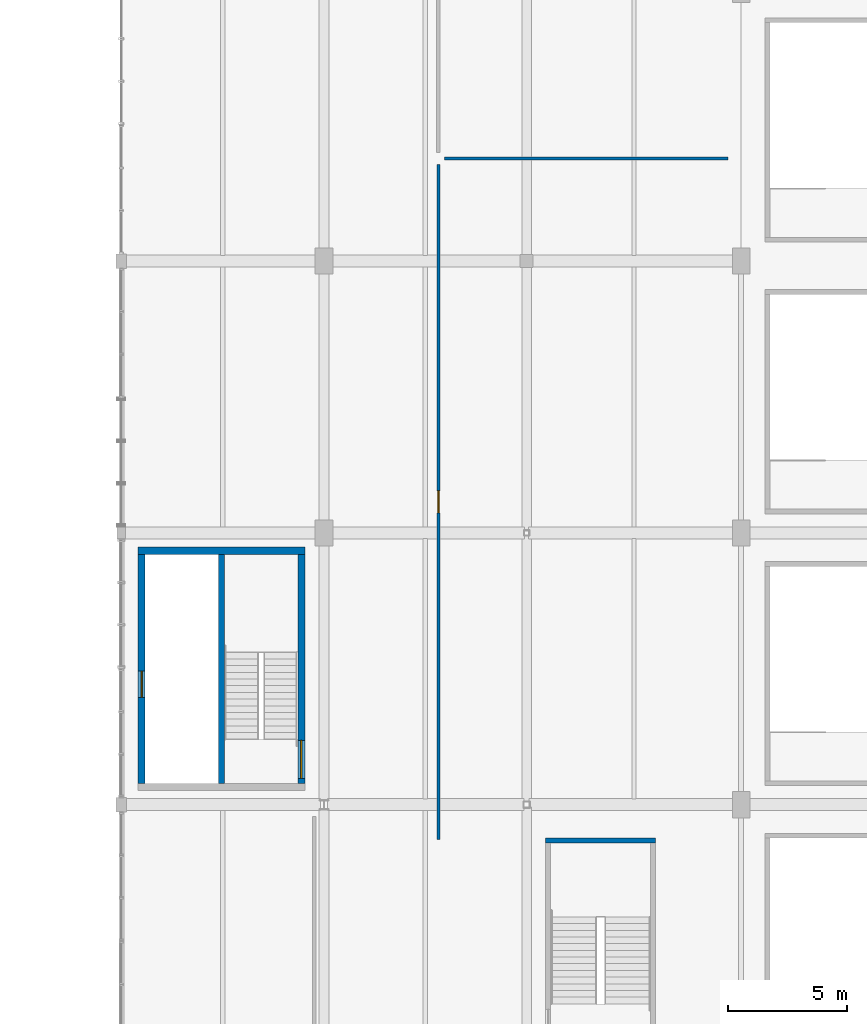
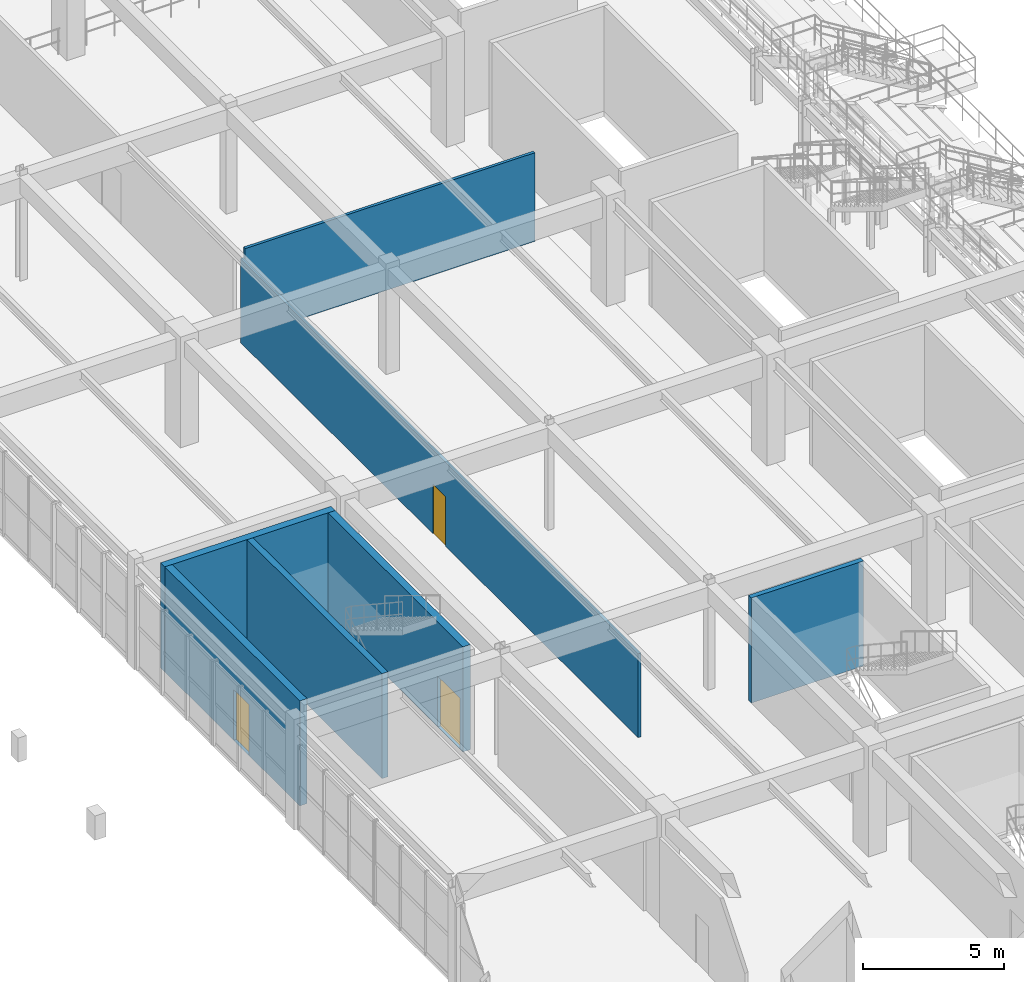
# One storey, part 83 of 106: 7 walls, 3 doors, 3 openings.
"""IFC4 building model written with IfcOpenShell, lengths in metres."""

from ifc_helpers import new_model, si_unit, direction, frame, frame_2d, origin, place, context, subcontext, project, spatial, rectangle, extrude, material, layer, layer_set, type_object, element, fill, save


model = new_model("IFC4")

# Units and contexts
model_context = context("Model", 3, precision=1e-05, world=origin(), true_north=direction((0.0, 1.0)))
body_context = subcontext(model_context, "Body", "Model", "MODEL_VIEW")
ifc_project = project(units=[si_unit("LENGTHUNIT", "METRE"), si_unit("AREAUNIT", "SQUARE_METRE"), si_unit("VOLUMEUNIT", "CUBIC_METRE"), si_unit("PLANEANGLEUNIT", "RADIAN"), si_unit("MASSUNIT", "GRAM", prefix="KILO"), si_unit("POWERUNIT", "WATT"), si_unit("THERMODYNAMICTEMPERATUREUNIT", "KELVIN")], contexts=[model_context])

# Site, building, storey
site_placement = place(None, origin())
site = spatial("IfcSite", under=ifc_project, at=site_placement, CompositionType="ELEMENT")
building_placement = place(site_placement, origin())
building = spatial("IfcBuilding", under=site, at=building_placement, Name="Kelmbourne Parkland Aquatics Centre", CompositionType="ELEMENT")
storey_placement = place(building_placement, frame((0.0, 0.0, 5.39990234375)))
storey = spatial("IfcBuildingStorey", under=building, at=storey_placement, Name="L01", CompositionType="ELEMENT", Elevation=5.39990234375)

# Walls
ifc_material_1 = material(Name="Concrete C40/50", Category="concrete")
ifc_layer_1 = layer(ifc_material_1, 0.25)
ifc_layer_set_1 = layer_set([ifc_layer_1], Name="Concrete C40/50")
wall_type_1 = type_object("IfcWallType", Name="W-CORE-250", PredefinedType="SHEAR", material=ifc_layer_set_1)
wall_1_placement = place(storey_placement, frame((106.199951171875, 35.89990234375, 0.0), z_axis=(0.0, 0.0, 1.0), x_axis=(0.0, 1.0, 0.0)))
element("IfcWall", 1, at=wall_1_placement, inside=storey, type_object=wall_type_1, Name="East Spine Club and Village Core divider wall (L01)", PredefinedType="SHEAR", context=body_context, shape_type="SweptSolid", body=[
    extrude(rectangle(XDim=9.60009765625, YDim=0.25, at=frame_2d((4.800048828125, 0.0))), origin(), (0.0, 0.0, 1.0), 4.56005859375),
])
ifc_layer_2 = layer(ifc_material_1, 0.300048828125)
ifc_layer_set_2 = layer_set([ifc_layer_2], Name="Concrete C40/50")
wall_type_2 = type_object("IfcWallType", Name="W-CORE-300", PredefinedType="SHEAR", material=ifc_layer_set_2)
wall_2_placement = place(storey_placement, frame((102.699951171875, 45.64990234375, 0.0), z_axis=(0.0, 0.0, 1.0), x_axis=(1.0, 0.0, 0.0)))
element("IfcWall", 2, at=wall_2_placement, inside=storey, type_object=wall_type_2, Name="East Spine Club and Village Core north wall (L01)", PredefinedType="SHEAR", context=body_context, shape_type="SweptSolid", body=[
    extrude(rectangle(XDim=7.0, YDim=0.300048828125, at=frame_2d((3.5, 0.0))), origin(), (0.0, 0.0, 1.0), 4.56005859375),
])

# Wall, opening, door
wall_3_placement = place(storey_placement, frame((102.85009765625, 35.89990234375, 0.0), z_axis=(0.0, 0.0, 1.0), x_axis=(0.0, 1.0, 0.0)))
wall_3 = element("IfcWall", 3, at=wall_3_placement, inside=storey, type_object=wall_type_2, Name="East Spine Club and Village Core west wall (L01)", PredefinedType="SHEAR", context=body_context, shape_type="SweptSolid", body=[
    extrude(rectangle(XDim=9.60009765625, YDim=0.300048828125, at=frame_2d((4.800048828125, 0.0))), origin(), (0.0, 0.0, 1.0), 4.56005859375),
])
opening_1_placement = place(wall_3_placement, frame((3.60009765625, 0.0, 0.0)))
opening_1 = element("IfcOpeningElement", 4, at=opening_1_placement, cuts=wall_3, Name="Opening LD01", PredefinedType="OPENING", context=body_context, shape_type="SweptSolid", body=[
    extrude(rectangle(XDim=1.10009765625, YDim=2.199951171875, at=frame_2d((0.550048828125, 1.10009765625))), frame((0.0, 0.162109375, 0.0), z_axis=(0.0, -1.0, 0.0), x_axis=(1.0, 0.0, 0.0)), (0.0, 0.0, 1.0), 0.323974609375),
])
ifc_material_2 = material(Name="Marine-grade stainless steel and fire-rated hardwood doorset", Category="steel")
ifc_layer_3 = layer(ifc_material_2, 0.050048828125)
ifc_layer_set_3 = layer_set([ifc_layer_3], Name="Marine-grade stainless steel and fire-rated hardwood doorset")
door_type_1 = type_object("IfcDoorType", Name="DR-LD-110", OperationType="NOTDEFINED", PredefinedType="DOOR", material=ifc_layer_set_3)
door_1_placement = place(opening_1_placement, origin())
door_1 = element("IfcDoor", 5, at=door_1_placement, inside=storey, type_object=door_type_1, Name="Lift landing sliding door LF05 (L01)", OperationType="SLIDING_TO_LEFT", OverallHeight=2.199951171875, OverallWidth=1.10009765625, PredefinedType="DOOR", context=body_context, shape_type="SweptSolid", body=[
    extrude(rectangle(XDim=1.10009765625, YDim=2.199951171875, at=frame_2d((0.550048828125, 1.10009765625))), frame((0.0, 0.02490234375, 0.0), z_axis=(0.0, -1.0, 0.0), x_axis=(1.0, 0.0, 0.0)), (0.0, 0.0, 1.0), 0.050048828125),
])
fill(opening_1, door_1)

wall_4_placement = place(storey_placement, frame((109.550048828125, 35.89990234375, 0.0), z_axis=(0.0, 0.0, 1.0), x_axis=(0.0, 1.0, 0.0)))
wall_4 = element("IfcWall", 6, at=wall_4_placement, inside=storey, type_object=wall_type_2, Name="East Spine Club and Village Core east wall (L01)", PredefinedType="SHEAR", context=body_context, shape_type="SweptSolid", body=[
    extrude(rectangle(XDim=9.60009765625, YDim=0.300048828125, at=frame_2d((4.800048828125, 0.0))), origin(), (0.0, 0.0, 1.0), 4.56005859375),
])
opening_2_placement = place(wall_4_placement, frame((0.199951171875, 0.0, 0.0)))
opening_2 = element("IfcOpeningElement", 7, at=opening_2_placement, cuts=wall_4, Name="Opening FD02", PredefinedType="OPENING", context=body_context, shape_type="SweptSolid", body=[
    extrude(rectangle(XDim=1.60009765625, YDim=2.199951171875, at=frame_2d((0.800048828125, 1.10009765625))), frame((0.0, 0.162109375, 0.0), z_axis=(0.0, -1.0, 0.0), x_axis=(1.0, 0.0, 0.0)), (0.0, 0.0, 1.0), 0.323974609375),
])
ifc_layer_4 = layer(ifc_material_2, 0.050048828125)
ifc_layer_set_4 = layer_set([ifc_layer_4], Name="Marine-grade stainless steel and fire-rated hardwood doorset")
door_type_2 = type_object("IfcDoorType", Name="DR-FD-160", OperationType="NOTDEFINED", PredefinedType="DOOR", material=ifc_layer_set_4)
door_2_placement = place(opening_2_placement, frame((1.60009765625, 0.0, 0.0), z_axis=(0.0, 0.0, 1.0), x_axis=(-1.0, 0.0, 0.0)))
door_2 = element("IfcDoor", 8, at=door_2_placement, inside=storey, type_object=door_type_2, Name="Fire stair door ST04 (L01)", OperationType="DOUBLE_DOOR_SINGLE_SWING", OverallHeight=2.199951171875, OverallWidth=1.60009765625, PredefinedType="DOOR", context=body_context, shape_type="SweptSolid", body=[
    extrude(rectangle(XDim=1.60009765625, YDim=2.199951171875, at=frame_2d((0.800048828125, 1.10009765625))), frame((0.0, 0.02490234375, 0.0), z_axis=(0.0, -1.0, 0.0), x_axis=(1.0, 0.0, 0.0)), (0.0, 0.0, 1.0), 0.050048828125),
])
fill(opening_2, door_2)

# Wall
ifc_material_3 = material(Name="Concrete blockwork C32/40", Category="masonry")
ifc_layer_5 = layer(ifc_material_3, 0.199951171875)
ifc_layer_set_5 = layer_set([ifc_layer_5], Name="Concrete blockwork C32/40")
wall_type_3 = type_object("IfcWallType", Name="W-FIRE-200", PredefinedType="SOLIDWALL", material=ifc_layer_set_5)
wall_5_placement = place(storey_placement, frame((119.800048828125, 33.5, 0.0), z_axis=(0.0, 0.0, 1.0), x_axis=(1.0, 0.0, 0.0)))
element("IfcWall", 9, at=wall_5_placement, inside=storey, type_object=wall_type_3, Name="East Club Terrace Exit Stair north enclosure (L01)", PredefinedType="SOLIDWALL", context=body_context, shape_type="SweptSolid", body=[
    extrude(rectangle(XDim=4.599853515625, YDim=0.199951171875, at=frame_2d((2.2998046875, 0.0))), origin(), (0.0, 0.0, 1.0), 4.56005859375),
])

# Wall, opening, door
ifc_material_4 = material(Name="Moisture-resistant acoustic stud partition", Category="gypsum")
ifc_layer_6 = layer(ifc_material_4, 0.1201171875)
ifc_layer_set_6 = layer_set([ifc_layer_6], Name="Moisture-resistant acoustic stud partition")
wall_type_4 = type_object("IfcWallType", Name="W-PART-120", PredefinedType="PARTITIONING", material=ifc_layer_set_6)
wall_6_placement = place(storey_placement, frame((115.300048828125, 33.550048828125, 0.0), z_axis=(0.0, 0.0, 1.0), x_axis=(0.0, 1.0, 0.0)))
wall_6 = element("IfcWall", 10, at=wall_6_placement, inside=storey, type_object=wall_type_4, Name="Interior partition PT-L01-075", PredefinedType="PARTITIONING", context=body_context, shape_type="SweptSolid", body=[
    extrude(rectangle(XDim=28.300048828125, YDim=0.1201171875, at=frame_2d((14.14990234375, 0.0))), origin(), (0.0, 0.0, 1.0), 3.64501953125),
])
opening_3_placement = place(wall_6_placement, frame((13.68994140625, 0.0, 0.0)))
opening_3 = element("IfcOpeningElement", 11, at=opening_3_placement, cuts=wall_6, Name="Opening ID07", PredefinedType="OPENING", context=body_context, shape_type="SweptSolid", body=[
    extrude(rectangle(XDim=0.919921875, YDim=2.14990234375, at=frame_2d((0.4599609375, 1.074951171875))), frame((0.0, 0.072021484375, 0.0), z_axis=(0.0, -1.0, 0.0), x_axis=(1.0, 0.0, 0.0)), (0.0, 0.0, 1.0), 0.14404296875),
])
ifc_material_5 = material(Name="Marine-grade stainless steel and solid-core hardwood doorset", Category="timber")
ifc_layer_7 = layer(ifc_material_5, 0.050048828125)
ifc_layer_set_7 = layer_set([ifc_layer_7], Name="Marine-grade stainless steel and solid-core hardwood doorset")
door_type_3 = type_object("IfcDoorType", Name="DR-WC-092", OperationType="NOTDEFINED", PredefinedType="DOOR", material=ifc_layer_set_7)
door_3_placement = place(opening_3_placement, origin())
door_3 = element("IfcDoor", 12, at=door_3_placement, inside=storey, type_object=door_type_3, Name="Interior door ID07 (L01-042)", OperationType="SINGLE_SWING_LEFT", OverallHeight=2.14990234375, OverallWidth=0.919921875, PredefinedType="DOOR", context=body_context, shape_type="SweptSolid", body=[
    extrude(rectangle(XDim=0.919921875, YDim=2.14990234375, at=frame_2d((0.4599609375, 1.074951171875))), frame((0.0, 0.02490234375, 0.0), z_axis=(0.0, -1.0, 0.0), x_axis=(1.0, 0.0, 0.0)), (0.0, 0.0, 1.0), 0.050048828125),
])
fill(opening_3, door_3)

# Wall
wall_7_placement = place(storey_placement, frame((115.550048828125, 62.10009765625, 0.0), z_axis=(0.0, 0.0, 1.0), x_axis=(1.0, 0.0, 0.0)))
element("IfcWall", 13, at=wall_7_placement, inside=storey, type_object=wall_type_4, Name="Interior partition PT-L01-077", PredefinedType="PARTITIONING", context=body_context, shape_type="SweptSolid", body=[
    extrude(rectangle(XDim=11.89990234375, YDim=0.1201171875, at=frame_2d((5.949951171875, 0.0))), origin(), (0.0, 0.0, 1.0), 3.84521484375),
])

save(model, "model.ifc")
